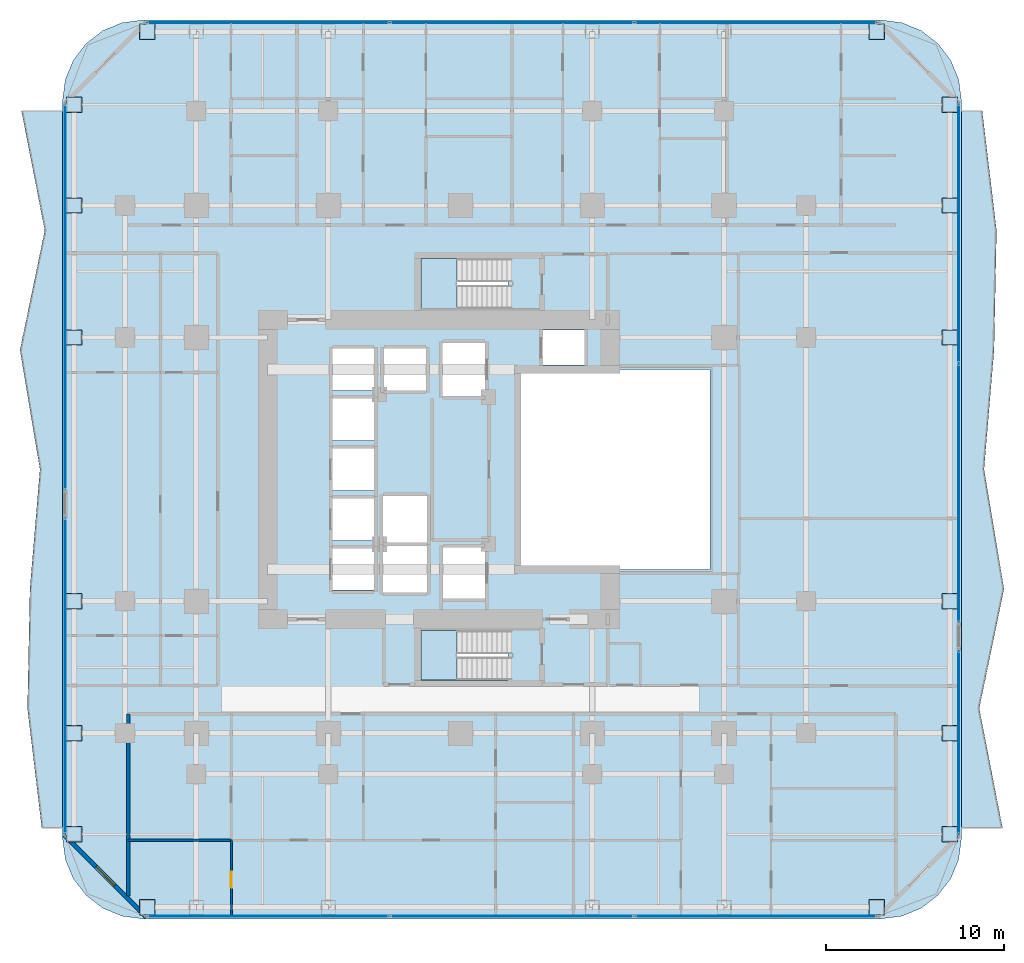
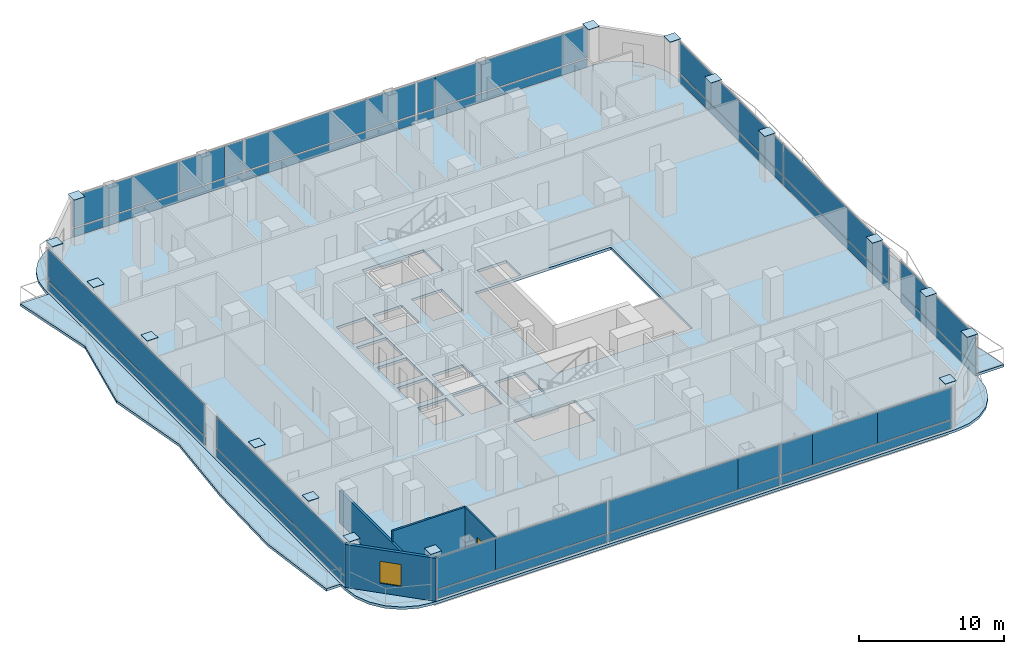
# One storey, part 19 of 27: 47 plates, 5 slabs, 4 walls, 1 door, 1 window, 2 openings, 8 elements without a shape of their own.
"""IFC4 building model written with IfcOpenShell, lengths in metres."""

import ifcopenshell
import ifcopenshell.guid

model = None  # the IFC model being written
_history = None  # IfcOwnerHistory: only IFC2X3 demands one
_inside = {}  # id of a spatial element -> (the spatial element, [elements in it])
_under = {}  # id of a project, library or spatial element -> (it, [spatial elements below it])
_declared = {}  # id of a project -> (the project, [libraries it declares])
_typed = {}  # id of a type object -> (the type object, [elements of that type])
_made_of = {}  # id of a material, layer set ... -> (it, [elements and type objects made of it])


def new_model(schema):
    """Start an empty IFC model of exactly this schema.

    Asked for "IFC4X3", IfcOpenShell would pick the latest addendum, in which some entities
    have other attributes; the version numbers below select the first issue.
    IFC2X3 requires an IfcOwnerHistory on every rooted entity: one is made here for all.
    """
    global model, _history
    if schema == "IFC4X3":
        model = ifcopenshell.file(schema_version=(4, 3, 0, 0))
    else:
        model = ifcopenshell.file(schema=schema)
    _inside.clear()
    _under.clear()
    _declared.clear()
    _typed.clear()
    _made_of.clear()
    _history = None
    if model.schema == "IFC2X3":
        org = make("IfcOrganization", Name="unknown")
        user = make(
            "IfcPersonAndOrganization",
            ThePerson=make("IfcPerson", FamilyName="unknown"),
            TheOrganization=org,
        )
        app = make(
            "IfcApplication",
            ApplicationDeveloper=org,
            Version="unknown",
            ApplicationFullName="unknown",
            ApplicationIdentifier="unknown",
        )
        _history = make(
            "IfcOwnerHistory",
            OwningUser=user,
            OwningApplication=app,
            ChangeAction="ADDED",
            CreationDate=0,
        )
    return model


def make(cls, **values):
    """One entity of the class cls with the attributes given. An attribute that is None is left unset."""
    return model.create_entity(
        cls, **{name: value for name, value in values.items() if value is not None}
    )


def rooted(cls, **values):
    """An entity with a GlobalId (a new one), such as an element, a storey or a relation."""
    return make(cls, GlobalId=ifcopenshell.guid.new(), OwnerHistory=_history, **values)


def si_unit(unit_type, name, prefix=None):
    """IfcSIUnit, for example si_unit("LENGTHUNIT", "METRE", prefix="MILLI")."""
    return make("IfcSIUnit", UnitType=unit_type, Prefix=prefix, Name=name)


def assignment(units):
    """IfcUnitAssignment: the units of a project."""
    return None if units is None else make("IfcUnitAssignment", Units=units)


def point(xyz):
    """IfcCartesianPoint."""
    return None if xyz is None else make("IfcCartesianPoint", Coordinates=xyz)


def direction(xyz):
    """IfcDirection."""
    return None if xyz is None else make("IfcDirection", DirectionRatios=xyz)


def frame(location, z_axis=None, x_axis=None):
    """IfcAxis2Placement3D, a coordinate frame: its origin and axes. An axis left out is left unset."""
    return make(
        "IfcAxis2Placement3D",
        Location=point(location),
        Axis=direction(z_axis),
        RefDirection=direction(x_axis),
    )


def frame_2d(location, x_axis=None):
    """IfcAxis2Placement2D, a coordinate frame in the plane: its origin and x axis."""
    return make(
        "IfcAxis2Placement2D", Location=point(location), RefDirection=direction(x_axis)
    )


def origin():
    """The frame at (0, 0, 0) with its axes left unset."""
    return frame((0.0, 0.0, 0.0))


def origin_2d():
    """The frame at (0, 0) in the plane with its x axis left unset."""
    return frame_2d((0.0, 0.0))


def place(relative_to, where):
    """IfcLocalPlacement: puts the frame where relative to a parent placement (None: the world)."""
    return make(
        "IfcLocalPlacement", PlacementRelTo=relative_to, RelativePlacement=where
    )


def context(
    kind, dimensions, precision=None, world=None, true_north=None, identifier=None
):
    """IfcGeometricRepresentationContext, for example the 3D "Model" context."""
    return make(
        "IfcGeometricRepresentationContext",
        ContextIdentifier=identifier,
        ContextType=kind,
        CoordinateSpaceDimension=dimensions,
        Precision=precision,
        WorldCoordinateSystem=world,
        TrueNorth=true_north,
    )


def subcontext(parent, identifier, kind, view, scale=None):
    """IfcGeometricRepresentationSubContext, for example "Body" below "Model"."""
    return make(
        "IfcGeometricRepresentationSubContext",
        ContextIdentifier=identifier,
        ContextType=kind,
        ParentContext=parent,
        TargetScale=scale,
        TargetView=view,
    )


def project(units=None, contexts=None):
    """IfcProject with its units and contexts."""
    return rooted(
        "IfcProject",
        Name="project",
        RepresentationContexts=contexts,
        UnitsInContext=assignment(units),
    )


def spatial(cls, under=None, at=None, **own):
    """A site, building, storey or space (cls), placed at a placement, below another one or the project."""
    s = rooted(cls, ObjectPlacement=at, **own)
    if under is not None:
        _under.setdefault(under.id(), (under, []))[1].append(s)
    return s


def polyline(points):
    """IfcPolyline through the points."""
    return make("IfcPolyline", Points=[point(p) for p in points])


def profile(cls, at=None, kind="AREA", **sizes):
    """A parametric profile (cls). Its sizes go by their IFC names, for example OverallWidth=200.0."""
    return make(cls, ProfileType=kind, Position=at, **sizes)


def rectangle(**sizes):
    """IfcRectangleProfileDef."""
    return profile("IfcRectangleProfileDef", **sizes)


def outline(outer, holes=None, kind="AREA"):
    """IfcArbitraryClosedProfileDef: a profile drawn as a closed curve; with holes, ...WithVoids."""
    if holes is None:
        return make("IfcArbitraryClosedProfileDef", ProfileType=kind, OuterCurve=outer)
    return make(
        "IfcArbitraryProfileDefWithVoids",
        ProfileType=kind,
        OuterCurve=outer,
        InnerCurves=holes,
    )


def extrude(swept, where, along, depth):
    """IfcExtrudedAreaSolid: the profile swept, set in the frame where, extruded along a direction by depth."""
    return make(
        "IfcExtrudedAreaSolid",
        SweptArea=swept,
        Position=where,
        ExtrudedDirection=direction(along),
        Depth=depth,
    )


def shape(context_of_items, identifier, shape_type, items):
    """IfcShapeRepresentation: the items that make up one representation, for example the "Body"."""
    return make(
        "IfcShapeRepresentation",
        ContextOfItems=context_of_items,
        RepresentationIdentifier=identifier,
        RepresentationType=shape_type,
        Items=items,
    )


def material(Name=None, Category=None):
    """IfcMaterial."""
    return make("IfcMaterial", Name=Name, Category=Category)


def layer(
    of_material, thickness, ventilated=None, Name=None, Category=None, Priority=None
):
    """IfcMaterialLayer: one layer of a wall or slab, of a material (None: an air gap)."""
    return make(
        "IfcMaterialLayer",
        Material=of_material,
        LayerThickness=thickness,
        IsVentilated=ventilated,
        Name=Name,
        Category=Category,
        Priority=Priority,
    )


def layer_set(layers, Name=None):
    """IfcMaterialLayerSet."""
    return make("IfcMaterialLayerSet", MaterialLayers=layers, LayerSetName=Name)


def made_of(thing, what):
    """Note that an element or type object is made of a material, layer set ...; save() writes the relation."""
    if what is not None:
        _made_of.setdefault(what.id(), (what, []))[1].append(thing)
    return thing


def type_object(cls, material=None, **own):
    """A type object (cls), such as IfcWallType, which elements share."""
    return made_of(rooted(cls, **own), material)


def element(
    cls,
    number,
    at=None,
    inside=None,
    cuts=None,
    type_object=None,
    material=None,
    context=None,
    identifier="Body",
    shape_type=None,
    held_by="IfcProductDefinitionShape",
    body=None,
    shapes=None,
    **own,
):
    """One element of the class cls, such as IfcWall. Its Tag is "e" and its number.

    at: its placement. inside: the storey or other place that contains it. cuts: it is an
    opening in that element (IfcRelVoidsElement). A single representation is given by context,
    identifier, shape_type and body (its items); several are given by shapes. held_by: the class
    of the entity that holds the representations. save() writes the other relations.
    """
    e = rooted(cls, Tag="e%d" % number, ObjectPlacement=at, **own)
    if body is not None:
        shapes = [shape(context, identifier, shape_type, body)]
    if shapes is not None:
        e.Representation = make(held_by, Representations=shapes)
    if inside is not None:
        _inside.setdefault(inside.id(), (inside, []))[1].append(e)
    if cuts is not None:
        rooted(
            "IfcRelVoidsElement", RelatingBuildingElement=cuts, RelatedOpeningElement=e
        )
    if type_object is not None:
        _typed.setdefault(type_object.id(), (type_object, []))[1].append(e)
    return made_of(e, material)


def fill(opening, filler):
    """IfcRelFillsElement: the door or window that sits in an opening."""
    return rooted(
        "IfcRelFillsElement",
        RelatingOpeningElement=opening,
        RelatedBuildingElement=filler,
    )


def aggregate(whole, parts):
    """IfcRelAggregates: a whole, such as a stair, and the parts it consists of."""
    return rooted("IfcRelAggregates", RelatingObject=whole, RelatedObjects=parts)


def save(model, path):
    """Write the relations noted so far, then the file.

    IfcRelAggregates (storeys below a building ...), IfcRelContainedInSpatialStructure (elements
    in a storey), IfcRelDefinesByType, IfcRelAssociatesMaterial and IfcRelDeclares: one each for
    every whole, place, type object, material and project.
    """
    for whole, parts in _under.values():
        aggregate(whole, parts)
    for where, things in _inside.values():
        rooted(
            "IfcRelContainedInSpatialStructure",
            RelatedElements=things,
            RelatingStructure=where,
        )
    for kind, things in _typed.values():
        rooted("IfcRelDefinesByType", RelatedObjects=things, RelatingType=kind)
    for what, things in _made_of.values():
        rooted("IfcRelAssociatesMaterial", RelatedObjects=things, RelatingMaterial=what)
    for by, libraries in _declared.values():
        rooted("IfcRelDeclares", RelatingContext=by, RelatedDefinitions=libraries)
    model.write(path)


model = new_model("IFC4")

# Units and contexts
model_context = context("Model", 3, precision=1e-05, world=origin(), true_north=direction((0.0, 1.0)))
body_context = subcontext(model_context, "Body", "Model", "MODEL_VIEW")
ifc_project = project(units=[si_unit("LENGTHUNIT", "METRE"), si_unit("AREAUNIT", "SQUARE_METRE"), si_unit("VOLUMEUNIT", "CUBIC_METRE"), si_unit("PLANEANGLEUNIT", "RADIAN"), si_unit("MASSUNIT", "GRAM", prefix="KILO")], contexts=[model_context])

# Site, building, storey
site_placement = place(None, origin())
site = spatial("IfcSite", under=ifc_project, at=site_placement, CompositionType="ELEMENT")
building_placement = place(site_placement, origin())
building = spatial("IfcBuilding", under=site, at=building_placement, Name="Khorvyn Point Tower", CompositionType="ELEMENT")
storey_placement = place(building_placement, frame((0.0, 0.0, 50.10009765625)))
storey = spatial("IfcBuildingStorey", under=building, at=storey_placement, Name="L13", CompositionType="ELEMENT", Elevation=50.10009765625)

# Slabs
ifc_material_1 = material(Name="Concrete C35/45", Category="concrete")
ifc_layer_1 = layer(ifc_material_1, 0.219970703125)
ifc_layer_set_1 = layer_set([ifc_layer_1], Name="Concrete C35/45 Structural Floor Slab 220")
slab_type_1 = type_object("IfcSlabType", Name="Concrete C35/45 Structural Floor Slab 220", PredefinedType="FLOOR", material=ifc_layer_set_1)
slab_1_placement = place(storey_placement, frame((0.0, 0.0, -0.22021484375)))
element("IfcSlab", 1, at=slab_1_placement, inside=storey, type_object=slab_type_1, Name="L13 Main Structural Floor Slab", PredefinedType="FLOOR", context=body_context, shape_type="SweptSolid", body=[
    extrude(outline(polyline([(-17.800048828125, -25.199951171875), (-18.964599609375, -25.046630859375), (-20.050048828125, -24.59716796875), (-20.98193359375, -23.882080078125), (-21.697021484375, -22.949951171875), (-22.146728515625, -21.86474609375), (-22.300048828125, -20.699951171875), (-22.300048828125, 20.699951171875), (-22.146728515625, 21.86474609375), (-21.697021484375, 22.949951171875), (-20.98193359375, 23.882080078125), (-20.050048828125, 24.59716796875), (-18.964599609375, 25.046630859375), (-17.800048828125, 25.199951171875), (23.60009765625, 25.199951171875), (24.7646484375, 25.046630859375), (25.85009765625, 24.59716796875), (26.781982421875, 23.882080078125), (27.4970703125, 22.949951171875), (27.94677734375, 21.86474609375), (28.10009765625, 20.699951171875), (28.10009765625, -20.699951171875), (27.94677734375, -21.86474609375), (27.4970703125, -22.949951171875), (26.781982421875, -23.882080078125), (25.85009765625, -24.59716796875), (24.7646484375, -25.046630859375), (23.60009765625, -25.199951171875), (-17.800048828125, -25.199951171875)]), holes=[polyline([(-4.824951171875, -6.77490234375), (-4.824951171875, -4.425048828125), (-7.175048828125, -4.425048828125), (-7.175048828125, -6.77490234375), (-4.824951171875, -6.77490234375)]), polyline([(-4.324951171875, -6.89990234375), (-1.875, -6.89990234375), (-1.875, -4.300048828125), (-4.324951171875, -4.300048828125), (-4.324951171875, -6.89990234375)]), polyline([(-7.175048828125, -3.97509765625), (-4.824951171875, -3.97509765625), (-4.824951171875, -1.625), (-7.175048828125, -1.625), (-7.175048828125, -3.97509765625)]), polyline([(-7.175048828125, -1.175048828125), (-4.824951171875, -1.175048828125), (-4.824951171875, 1.175048828125), (-7.175048828125, 1.175048828125), (-7.175048828125, -1.175048828125)]), polyline([(-7.175048828125, 1.625), (-4.824951171875, 1.625), (-4.824951171875, 3.97509765625), (-7.175048828125, 3.97509765625), (-7.175048828125, 1.625)]), polyline([(-7.175048828125, 4.425048828125), (-4.824951171875, 4.425048828125), (-4.824951171875, 6.77490234375), (-7.175048828125, 6.77490234375), (-7.175048828125, 4.425048828125)]), polyline([(-4.27490234375, 4.425048828125), (-1.925048828125, 4.425048828125), (-1.925048828125, 6.77490234375), (-4.27490234375, 6.77490234375), (-4.27490234375, 4.425048828125)]), polyline([(2.679931640625, -11.820068359375), (2.679931640625, -9.02001953125), (-2.199951171875, -9.02001953125), (-2.199951171875, -11.820068359375), (2.679931640625, -11.820068359375)]), polyline([(-0.97509765625, -7.22509765625), (1.375, -7.22509765625), (1.375, -4.375), (-0.97509765625, -4.375), (-0.97509765625, -7.22509765625)]), polyline([(-4.324951171875, -4.10009765625), (-1.875, -4.10009765625), (-1.875, -1.5), (-4.324951171875, -1.5), (-4.324951171875, -4.10009765625)]), polyline([(3.199951171875, -5.60009765625), (14.0, -5.60009765625), (14.0, 5.60009765625), (3.199951171875, 5.60009765625), (3.199951171875, -5.60009765625)]), polyline([(-1.0, 4.125), (1.39990234375, 4.125), (1.39990234375, 7.074951171875), (-1.0, 7.074951171875), (-1.0, 4.125)]), polyline([(4.625, 5.85009765625), (6.97509765625, 5.85009765625), (6.97509765625, 7.830078125), (4.625, 7.830078125), (4.625, 5.85009765625)]), polyline([(-2.199951171875, 9.02001953125), (2.679931640625, 9.02001953125), (2.679931640625, 11.820068359375), (-2.199951171875, 11.820068359375), (-2.199951171875, 9.02001953125)])]), origin(), (0.0, 0.0, 1.0), 0.22021484375),
])
ifc_material_2 = material(Name="Concrete C40/50", Category="concrete")
ifc_layer_2 = layer(ifc_material_2, 0.2099609375)
ifc_layer_set_2 = layer_set([ifc_layer_2], Name="Concrete C40/50 Rippling Balcony Slab 210")
slab_type_2 = type_object("IfcSlabType", Name="Concrete C40/50 Rippling Balcony Slab 210", PredefinedType="USERDEFINED", material=ifc_layer_set_2)
slab_2_placement = place(storey_placement, frame((0.0, 0.0, -0.210205078125)))
element("IfcSlab", 2, at=slab_2_placement, inside=storey, type_object=slab_type_2, Name="L13 East Sinusoidal Rippling Balcony", ObjectType="BALCONY", PredefinedType="USERDEFINED", context=body_context, shape_type="SweptSolid", body=[
    extrude(outline(polyline([(28.10009765625, -20.10009765625), (30.404052734375, -20.10009765625), (29.097412109375, -13.39990234375), (30.4873046875, -6.699951171875), (29.36865234375, 0.0), (29.930908203125, 6.699951171875), (30.068359375, 13.39990234375), (29.26611328125, 20.10009765625), (28.10009765625, 20.10009765625), (28.10009765625, -20.10009765625)])), origin(), (0.0, 0.0, 1.0), 0.210205078125),
])
slab_3_placement = place(storey_placement, frame((0.0, 0.0, -0.210205078125)))
element("IfcSlab", 3, at=slab_3_placement, inside=storey, type_object=slab_type_2, Name="L13 West Sinusoidal Rippling Balcony", ObjectType="BALCONY", PredefinedType="USERDEFINED", context=body_context, shape_type="SweptSolid", body=[
    extrude(outline(polyline([(-22.300048828125, 20.10009765625), (-24.60400390625, 20.10009765625), (-23.297607421875, 13.39990234375), (-24.687255859375, 6.699951171875), (-23.568603515625, 0.0), (-24.130859375, -6.699951171875), (-24.268310546875, -13.39990234375), (-23.46630859375, -20.10009765625), (-22.300048828125, -20.10009765625), (-22.300048828125, 20.10009765625)])), origin(), (0.0, 0.0, 1.0), 0.210205078125),
])

# Stair, slab
stair_type = type_object("IfcStairType", Name="Tower Concrete C40/50 Dogleg Exit Stair", PredefinedType="HALF_TURN_STAIR", material=ifc_material_2)
stair_1_placement = place(storey_placement, origin())
stair_1 = element("IfcStair", 4, at=stair_1_placement, inside=storey, type_object=stair_type, Name="L13 Tower Smokeproof Exit Stair South", PredefinedType="HALF_TURN_STAIR")
ifc_layer_3 = layer(ifc_material_2, 0.199951171875)
ifc_layer_set_3 = layer_set([ifc_layer_3], Name="Concrete C40/50 Stair Landing Slab 200")
slab_type_3 = type_object("IfcSlabType", Name="Concrete C40/50 Stair Landing Slab 200", PredefinedType="LANDING", material=ifc_layer_set_3)
slab_4_placement = place(storey_placement, frame((0.0, 0.0, 1.75)))
slab_4 = element("IfcSlab", 5, at=slab_4_placement, type_object=slab_type_3, Name="ST-01 landing 1", PredefinedType="LANDING", context=body_context, shape_type="SweptSolid", body=[
    extrude(outline(polyline([(-0.179931640625, -9.02001953125), (-2.199951171875, -9.02001953125), (-2.199951171875, -11.820068359375), (-0.179931640625, -11.820068359375), (-0.179931640625, -9.02001953125)])), origin(), (0.0, 0.0, 1.0), 0.199951171875),
])
aggregate(stair_1, [slab_4])

stair_2_placement = place(storey_placement, origin())
stair_2 = element("IfcStair", 6, at=stair_2_placement, inside=storey, type_object=stair_type, Name="L13 Tower Smokeproof Exit Stair North", PredefinedType="HALF_TURN_STAIR")
slab_5_placement = place(storey_placement, frame((0.0, 0.0, 1.75)))
slab_5 = element("IfcSlab", 7, at=slab_5_placement, type_object=slab_type_3, Name="ST-02 landing 1", PredefinedType="LANDING", context=body_context, shape_type="SweptSolid", body=[
    extrude(outline(polyline([(-0.179931640625, 11.820068359375), (-2.199951171875, 11.820068359375), (-2.199951171875, 9.02001953125), (-0.179931640625, 9.02001953125), (-0.179931640625, 11.820068359375)])), origin(), (0.0, 0.0, 1.0), 0.199951171875),
])
aggregate(stair_2, [slab_5])

# Curtain wall, plates
ifc_material_3 = material(Name="Anodised aluminium 6063-T6 and laminated Low-E glass", Category="aluminium")
ifc_layer_4 = layer(ifc_material_3, 0.18994140625)
ifc_layer_set_4 = layer_set([ifc_layer_4], Name="Stick-Built Finned Residential Curtain Wall CW-SYS-02")
curtain_wall_type = type_object("IfcCurtainWallType", Name="Stick-Built Finned Residential Curtain Wall CW-SYS-02", PredefinedType="NOTDEFINED", material=ifc_layer_set_4)
curtain_wall_1_placement = place(storey_placement, origin())
curtain_wall_1 = element("IfcCurtainWall", 8, at=curtain_wall_1_placement, inside=storey, type_object=curtain_wall_type, Name="Curtain Wall", PredefinedType="NOTDEFINED")
ifc_material_4 = material(Name="Pale anodised aluminium 5005", Category="aluminium")
ifc_layer_5 = layer(ifc_material_4, 0.0400390625)
ifc_layer_set_5 = layer_set([ifc_layer_5], Name="Pale Champagne Aluminium Insulated Spandrel Panel CW-SP40")
plate_type_1 = type_object("IfcPlateType", Name="Pale Champagne Aluminium Insulated Spandrel Panel CW-SP40", PredefinedType="SHEET", material=ifc_layer_set_5)
plate_1_placement = place(storey_placement, frame((16.574951171875, -25.050048828125, 0.10009765625), z_axis=(0.0, 0.0, 1.0), x_axis=(-1.0, 0.0, 0.0)))
plate_1 = element("IfcPlate", 9, at=plate_1_placement, type_object=plate_type_1, Name="Panel", PredefinedType="SHEET", context=body_context, shape_type="SweptSolid", body=[
    extrude(rectangle(XDim=13.550048828125, YDim=0.0400390625, at=origin_2d()), origin(), (0.0, 0.0, 1.0), 0.699951171875),
])
plate_2_placement = place(storey_placement, frame((2.89990234375, -25.050048828125, 0.10009765625), z_axis=(0.0, 0.0, 1.0), x_axis=(-1.0, 0.0, 0.0)))
plate_2 = element("IfcPlate", 10, at=plate_2_placement, type_object=plate_type_1, Name="Panel", PredefinedType="SHEET", context=body_context, shape_type="SweptSolid", body=[
    extrude(rectangle(XDim=13.60009765625, YDim=0.0400390625, at=origin_2d()), origin(), (0.0, 0.0, 1.0), 0.699951171875),
])
plate_3_placement = place(storey_placement, frame((-10.77490234375, -25.050048828125, 0.10009765625), z_axis=(0.0, 0.0, 1.0), x_axis=(-1.0, 0.0, 0.0)))
plate_3 = element("IfcPlate", 11, at=plate_3_placement, type_object=plate_type_1, Name="Panel", PredefinedType="SHEET", context=body_context, shape_type="SweptSolid", body=[
    extrude(rectangle(XDim=13.550048828125, YDim=0.0400390625, at=origin_2d()), origin(), (0.0, 0.0, 1.0), 0.699951171875),
])

curtain_wall_2_placement = place(storey_placement, origin())
curtain_wall_2 = element("IfcCurtainWall", 12, at=curtain_wall_2_placement, inside=storey, type_object=curtain_wall_type, Name="Curtain Wall", PredefinedType="NOTDEFINED")
plate_4_placement = place(storey_placement, frame((-10.77490234375, 25.050048828125, 0.10009765625), z_axis=(0.0, 0.0, 1.0), x_axis=(1.0, 0.0, 0.0)))
plate_4 = element("IfcPlate", 13, at=plate_4_placement, type_object=plate_type_1, Name="Panel", PredefinedType="SHEET", context=body_context, shape_type="SweptSolid", body=[
    extrude(rectangle(XDim=13.550048828125, YDim=0.0400390625, at=origin_2d()), origin(), (0.0, 0.0, 1.0), 0.699951171875),
])
plate_5_placement = place(storey_placement, frame((2.89990234375, 25.050048828125, 0.10009765625), z_axis=(0.0, 0.0, 1.0), x_axis=(1.0, 0.0, 0.0)))
plate_5 = element("IfcPlate", 14, at=plate_5_placement, type_object=plate_type_1, Name="Panel", PredefinedType="SHEET", context=body_context, shape_type="SweptSolid", body=[
    extrude(rectangle(XDim=13.60009765625, YDim=0.0400390625, at=origin_2d()), origin(), (0.0, 0.0, 1.0), 0.699951171875),
])
plate_6_placement = place(storey_placement, frame((16.574951171875, 25.050048828125, 0.10009765625), z_axis=(0.0, 0.0, 1.0), x_axis=(1.0, 0.0, 0.0)))
plate_6 = element("IfcPlate", 15, at=plate_6_placement, type_object=plate_type_1, Name="Panel", PredefinedType="SHEET", context=body_context, shape_type="SweptSolid", body=[
    extrude(rectangle(XDim=13.550048828125, YDim=0.0400390625, at=origin_2d()), origin(), (0.0, 0.0, 1.0), 0.699951171875),
])

# Curtain wall, plate
curtain_wall_3_placement = place(storey_placement, origin())
curtain_wall_3 = element("IfcCurtainWall", 16, at=curtain_wall_3_placement, inside=storey, type_object=curtain_wall_type, Name="Curtain Wall", PredefinedType="NOTDEFINED")
plate_7_placement = place(storey_placement, frame((-22.14990234375, -11.60595703125, 0.10009765625), z_axis=(0.0, 0.0, 1.0), x_axis=(0.0, 1.0, 0.0)))
plate_7 = element("IfcPlate", 17, at=plate_7_placement, type_object=plate_type_1, Name="Panel", PredefinedType="SHEET", context=body_context, shape_type="SweptSolid", body=[
    extrude(rectangle(XDim=17.68798828125, YDim=0.0400390625, at=origin_2d()), origin(), (0.0, 0.0, 1.0), 0.699951171875),
])

curtain_wall_4_placement = place(storey_placement, origin())
curtain_wall_4 = element("IfcCurtainWall", 18, at=curtain_wall_4_placement, inside=storey, type_object=curtain_wall_type, Name="Curtain Wall", PredefinedType="NOTDEFINED")
plate_8_placement = place(storey_placement, frame((-22.14990234375, 9.6640625, 0.10009765625), z_axis=(0.0, 0.0, 1.0), x_axis=(0.0, 1.0, 0.0)))
plate_8 = element("IfcPlate", 19, at=plate_8_placement, type_object=plate_type_1, Name="Panel", PredefinedType="SHEET", context=body_context, shape_type="SweptSolid", body=[
    extrude(rectangle(XDim=21.572021484375, YDim=0.0400390625, at=origin_2d()), origin(), (0.0, 0.0, 1.0), 0.699951171875),
])

# Curtain wall, plates
curtain_wall_5_placement = place(storey_placement, origin())
curtain_wall_5 = element("IfcCurtainWall", 20, at=curtain_wall_5_placement, inside=storey, type_object=curtain_wall_type, Name="Curtain Wall", PredefinedType="NOTDEFINED")
plate_9_placement = place(storey_placement, frame((27.949951171875, 13.225830078125, 0.10009765625), z_axis=(0.0, 0.0, 1.0), x_axis=(0.0, -1.0, 0.0)))
plate_9 = element("IfcPlate", 21, at=plate_9_placement, type_object=plate_type_1, Name="Panel", PredefinedType="SHEET", context=body_context, shape_type="SweptSolid", body=[
    extrude(rectangle(XDim=14.448486328125, YDim=0.0400390625, at=origin_2d()), origin(), (0.0, 0.0, 1.0), 0.699951171875),
])
plate_10_placement = place(storey_placement, frame((27.949951171875, -1.32275390625, 0.10009765625), z_axis=(0.0, 0.0, 1.0), x_axis=(0.0, -1.0, 0.0)))
plate_10 = element("IfcPlate", 22, at=plate_10_placement, type_object=plate_type_1, Name="Panel", PredefinedType="SHEET", context=body_context, shape_type="SweptSolid", body=[
    extrude(rectangle(XDim=14.448486328125, YDim=0.0400390625, at=origin_2d()), origin(), (0.0, 0.0, 1.0), 0.699951171875),
])

# Curtain wall, plate
curtain_wall_6_placement = place(storey_placement, origin())
curtain_wall_6 = element("IfcCurtainWall", 23, at=curtain_wall_6_placement, inside=storey, type_object=curtain_wall_type, Name="Curtain Wall", PredefinedType="NOTDEFINED")
plate_11_placement = place(storey_placement, frame((27.949951171875, -15.318603515625, 0.10009765625), z_axis=(0.0, 0.0, 1.0), x_axis=(0.0, -1.0, 0.0)))
plate_11 = element("IfcPlate", 24, at=plate_11_placement, type_object=plate_type_1, Name="Panel", PredefinedType="SHEET", context=body_context, shape_type="SweptSolid", body=[
    extrude(rectangle(XDim=10.262939453125, YDim=0.0400390625, at=origin_2d()), origin(), (0.0, 0.0, 1.0), 0.699951171875),
])

# Plates
ifc_material_5 = material(Name="Steel S450", Category="steel")
ifc_layer_6 = layer(ifc_material_5, 0.031982421875)
ifc_layer_set_6 = layer_set([ifc_layer_6], Name="Steel S450 Exoskeleton End Cap Plate 32")
plate_type_2 = type_object("IfcPlateType", Name="Steel S450 Exoskeleton End Cap Plate 32", PredefinedType="USERDEFINED", material=ifc_layer_set_6)
for number, where, z_axis, x_axis, name in (
    (25, (-17.550048828125, -24.550048828125, 3.89404296875), (0.0, 0.0, 1.0), (1.0, 0.0, 0.0), "Plate"),
    (26, (23.35009765625, -24.550048828125, 3.89404296875), (0.0, 0.0, 1.0), (1.0, 0.0, 0.0), "Plate"),
    (27, (-17.550048828125, 24.550048828125, 3.89404296875), (0.0, 0.0, 1.0), (1.0, 0.0, 0.0), "Plate"),
    (28, (23.35009765625, 24.550048828125, 3.89404296875), (0.0, 0.0, 1.0), (1.0, 0.0, 0.0), "Plate"),
    (29, (-21.64990234375, -20.449951171875, 3.89404296875), (0.0, 0.0, 1.0), (1.0, 0.0, 0.0), "Plate"),
    (30, (-21.64990234375, 20.449951171875, 3.89404296875), (0.0, 0.0, 1.0), (1.0, 0.0, 0.0), "Plate"),
    (31, (27.449951171875, -20.449951171875, 3.89404296875), (0.0, 0.0, 1.0), (1.0, 0.0, 0.0), "Plate"),
    (32, (27.449951171875, 20.449951171875, 3.89404296875), (0.0, 0.0, 1.0), (1.0, 0.0, 0.0), "Plate"),
    (33, (-21.64990234375, -14.800048828125, 3.89404296875), (0.0, 0.0, 1.0), (1.0, 0.0, 0.0), "Plate"),
    (34, (27.449951171875, -14.800048828125, 3.89404296875), (0.0, 0.0, 1.0), (1.0, 0.0, 0.0), "Plate"),
    (35, (-21.64990234375, -7.39990234375, 3.89404296875), (0.0, 0.0, 1.0), (1.0, 0.0, 0.0), "Plate"),
    (36, (27.449951171875, -7.39990234375, 3.89404296875), (0.0, 0.0, 1.0), (1.0, 0.0, 0.0), "Plate"),
    (37, (-21.64990234375, 7.39990234375, 3.89404296875), (0.0, 0.0, 1.0), (1.0, 0.0, 0.0), "Plate"),
    (38, (27.449951171875, 7.39990234375, 3.89404296875), (0.0, 0.0, 1.0), (1.0, 0.0, 0.0), "Plate"),
    (39, (-21.64990234375, 14.800048828125, 3.89404296875), (0.0, 0.0, 1.0), (1.0, 0.0, 0.0), "Plate"),
    (40, (27.449951171875, 14.800048828125, 3.89404296875), (0.0, 0.0, 1.0), (1.0, 0.0, 0.0), "Plate"),
):
    element("IfcPlate", number, at=place(storey_placement, frame(where, z_axis=z_axis, x_axis=x_axis)), inside=storey, type_object=plate_type_2, Name=name, ObjectType="GUSSET", PredefinedType="USERDEFINED", context=body_context, shape_type="SweptSolid", body=[
        extrude(rectangle(XDim=0.860107421875, YDim=0.860107421875, at=origin_2d()), origin(), (0.0, 0.0, 1.0), 0.031982421875),
    ])

# Plate
ifc_material_6 = material(Name="Laminated Low-E insulated glass", Category="glass")
ifc_layer_7 = layer(ifc_material_6, 0.028076171875)
ifc_layer_set_7 = layer_set([ifc_layer_7], Name="Tempered Low-E Vision Glazing Panel CW-GL28")
plate_type_3 = type_object("IfcPlateType", Name="Tempered Low-E Vision Glazing Panel CW-GL28", PredefinedType="CURTAIN_PANEL", material=ifc_layer_set_7)
plate_12_placement = place(storey_placement, frame((11.0576171875, -25.050048828125, 0.89990234375), z_axis=(0.0, 0.0, 1.0), x_axis=(-1.0, 0.0, 0.0)))
plate_12 = element("IfcPlate", 41, at=plate_12_placement, type_object=plate_type_3, Name="Panel", PredefinedType="CURTAIN_PANEL", context=body_context, shape_type="SweptSolid", body=[
    extrude(rectangle(XDim=2.507080078125, YDim=0.028076171875, at=origin_2d()), origin(), (0.0, 0.0, 1.0), 2.6201171875),
])

plate_13_placement = place(storey_placement, frame((14.901611328125, -25.050048828125, 0.89990234375), z_axis=(0.0, 0.0, 1.0), x_axis=(-1.0, 0.0, 0.0)))
plate_13 = element("IfcPlate", 42, at=plate_13_placement, type_object=plate_type_3, Name="Panel", PredefinedType="CURTAIN_PANEL", context=body_context, shape_type="SweptSolid", body=[
    extrude(rectangle(XDim=5.1650390625, YDim=0.028076171875, at=origin_2d()), origin(), (0.0, 0.0, 1.0), 2.6201171875),
])

plate_14_placement = place(storey_placement, frame((20.4189453125, -25.050048828125, 0.89990234375), z_axis=(0.0, 0.0, 1.0), x_axis=(-1.0, 0.0, 0.0)))
plate_14 = element("IfcPlate", 43, at=plate_14_placement, type_object=plate_type_3, Name="Panel", PredefinedType="CURTAIN_PANEL", context=body_context, shape_type="SweptSolid", body=[
    extrude(rectangle(XDim=5.85400390625, YDim=0.028076171875, at=origin_2d()), origin(), (0.0, 0.0, 1.0), 2.6201171875),
])

plate_15_placement = place(storey_placement, frame((1.25146484375, -25.050048828125, 0.89990234375), z_axis=(0.0, 0.0, 1.0), x_axis=(-1.0, 0.0, 0.0)))
plate_15 = element("IfcPlate", 44, at=plate_15_placement, type_object=plate_type_3, Name="Panel", PredefinedType="CURTAIN_PANEL", context=body_context, shape_type="SweptSolid", body=[
    extrude(rectangle(XDim=10.294921875, YDim=0.028076171875, at=origin_2d()), origin(), (0.0, 0.0, 1.0), 2.6201171875),
])

plate_16_placement = place(storey_placement, frame((8.051513671875, -25.050048828125, 0.89990234375), z_axis=(0.0, 0.0, 1.0), x_axis=(-1.0, 0.0, 0.0)))
plate_16 = element("IfcPlate", 45, at=plate_16_placement, type_object=plate_type_3, Name="Panel", PredefinedType="CURTAIN_PANEL", context=body_context, shape_type="SweptSolid", body=[
    extrude(rectangle(XDim=3.2890625, YDim=0.028076171875, at=origin_2d()), origin(), (0.0, 0.0, 1.0), 2.6201171875),
])

plate_17_placement = place(storey_placement, frame((-15.223388671875, -25.050048828125, 0.89990234375), z_axis=(0.0, 0.0, 1.0), x_axis=(-1.0, 0.0, 0.0)))
plate_17 = element("IfcPlate", 46, at=plate_17_placement, type_object=plate_type_3, Name="Panel", PredefinedType="CURTAIN_PANEL", context=body_context, shape_type="SweptSolid", body=[
    extrude(rectangle(XDim=4.64501953125, YDim=0.028076171875, at=origin_2d()), origin(), (0.0, 0.0, 1.0), 2.6201171875),
])

plate_18_placement = place(storey_placement, frame((-8.448486328125, -25.050048828125, 0.89990234375), z_axis=(0.0, 0.0, 1.0), x_axis=(-1.0, 0.0, 0.0)))
plate_18 = element("IfcPlate", 47, at=plate_18_placement, type_object=plate_type_3, Name="Panel", PredefinedType="CURTAIN_PANEL", context=body_context, shape_type="SweptSolid", body=[
    extrude(rectangle(XDim=8.888916015625, YDim=0.028076171875, at=origin_2d()), origin(), (0.0, 0.0, 1.0), 2.6201171875),
])

aggregate(curtain_wall_1, [plate_1, plate_12, plate_13, plate_14, plate_2, plate_15, plate_16, plate_3, plate_17, plate_18])

plate_19_placement = place(storey_placement, frame((-13.320556640625, 25.050048828125, 0.89990234375), z_axis=(0.0, 0.0, 1.0), x_axis=(1.0, 0.0, 0.0)))
plate_19 = element("IfcPlate", 48, at=plate_19_placement, type_object=plate_type_3, Name="Panel", PredefinedType="CURTAIN_PANEL", context=body_context, shape_type="SweptSolid", body=[
    extrude(rectangle(XDim=8.450927734375, YDim=0.028076171875, at=origin_2d()), origin(), (0.0, 0.0, 1.0), 2.6201171875),
])

plate_20_placement = place(storey_placement, frame((-7.29248046875, 25.050048828125, 0.89990234375), z_axis=(0.0, 0.0, 1.0), x_axis=(1.0, 0.0, 0.0)))
plate_20 = element("IfcPlate", 49, at=plate_20_placement, type_object=plate_type_3, Name="Panel", PredefinedType="CURTAIN_PANEL", context=body_context, shape_type="SweptSolid", body=[
    extrude(rectangle(XDim=3.589111328125, YDim=0.028076171875, at=origin_2d()), origin(), (0.0, 0.0, 1.0), 2.6201171875),
])

plate_21_placement = place(storey_placement, frame((-4.7470703125, 25.050048828125, 0.89990234375), z_axis=(0.0, 0.0, 1.0), x_axis=(1.0, 0.0, 0.0)))
plate_21 = element("IfcPlate", 50, at=plate_21_placement, type_object=plate_type_3, Name="Panel", PredefinedType="CURTAIN_PANEL", context=body_context, shape_type="SweptSolid", body=[
    extrude(rectangle(XDim=1.486083984375, YDim=0.028076171875, at=origin_2d()), origin(), (0.0, 0.0, 1.0), 2.6201171875),
])

plate_22_placement = place(storey_placement, frame((2.89990234375, 25.050048828125, 0.89990234375), z_axis=(0.0, 0.0, 1.0), x_axis=(1.0, 0.0, 0.0)))
plate_22 = element("IfcPlate", 51, at=plate_22_placement, type_object=plate_type_3, Name="Panel", PredefinedType="CURTAIN_PANEL", context=body_context, shape_type="SweptSolid", body=[
    extrude(rectangle(XDim=13.60009765625, YDim=0.028076171875, at=origin_2d()), origin(), (0.0, 0.0, 1.0), 2.6201171875),
])

plate_23_placement = place(storey_placement, frame((10.525390625, 25.050048828125, 0.89990234375), z_axis=(0.0, 0.0, 1.0), x_axis=(1.0, 0.0, 0.0)))
plate_23 = element("IfcPlate", 52, at=plate_23_placement, type_object=plate_type_3, Name="Panel", PredefinedType="CURTAIN_PANEL", context=body_context, shape_type="SweptSolid", body=[
    extrude(rectangle(XDim=1.443115234375, YDim=0.028076171875, at=origin_2d()), origin(), (0.0, 0.0, 1.0), 2.6201171875),
])

plate_24_placement = place(storey_placement, frame((13.071044921875, 25.050048828125, 0.89990234375), z_axis=(0.0, 0.0, 1.0), x_axis=(1.0, 0.0, 0.0)))
plate_24 = element("IfcPlate", 53, at=plate_24_placement, type_object=plate_type_3, Name="Panel", PredefinedType="CURTAIN_PANEL", context=body_context, shape_type="SweptSolid", body=[
    extrude(rectangle(XDim=3.632080078125, YDim=0.028076171875, at=origin_2d()), origin(), (0.0, 0.0, 1.0), 2.6201171875),
])

plate_25_placement = place(storey_placement, frame((18.151611328125, 25.050048828125, 0.89990234375), z_axis=(0.0, 0.0, 1.0), x_axis=(1.0, 0.0, 0.0)))
plate_25 = element("IfcPlate", 54, at=plate_25_placement, type_object=plate_type_3, Name="Panel", PredefinedType="CURTAIN_PANEL", context=body_context, shape_type="SweptSolid", body=[
    extrude(rectangle(XDim=6.512939453125, YDim=0.028076171875, at=origin_2d()), origin(), (0.0, 0.0, 1.0), 2.6201171875),
])

plate_26_placement = place(storey_placement, frame((22.381103515625, 25.050048828125, 0.89990234375), z_axis=(0.0, 0.0, 1.0), x_axis=(1.0, 0.0, 0.0)))
plate_26 = element("IfcPlate", 55, at=plate_26_placement, type_object=plate_type_3, Name="Panel", PredefinedType="CURTAIN_PANEL", context=body_context, shape_type="SweptSolid", body=[
    extrude(rectangle(XDim=1.929931640625, YDim=0.028076171875, at=origin_2d()), origin(), (0.0, 0.0, 1.0), 2.6201171875),
])

aggregate(curtain_wall_2, [plate_4, plate_19, plate_20, plate_21, plate_5, plate_22, plate_6, plate_23, plate_24, plate_25, plate_26])

plate_27_placement = place(storey_placement, frame((-22.14990234375, -11.60595703125, 0.89990234375), z_axis=(0.0, 0.0, 1.0), x_axis=(0.0, 1.0, 0.0)))
plate_27 = element("IfcPlate", 56, at=plate_27_placement, type_object=plate_type_3, Name="Panel", PredefinedType="CURTAIN_PANEL", context=body_context, shape_type="SweptSolid", body=[
    extrude(rectangle(XDim=17.68798828125, YDim=0.028076171875, at=origin_2d()), origin(), (0.0, 0.0, 1.0), 2.6201171875),
])

aggregate(curtain_wall_3, [plate_7, plate_27])

plate_28_placement = place(storey_placement, frame((-22.14990234375, 9.6640625, 0.89990234375), z_axis=(0.0, 0.0, 1.0), x_axis=(0.0, 1.0, 0.0)))
plate_28 = element("IfcPlate", 57, at=plate_28_placement, type_object=plate_type_3, Name="Panel", PredefinedType="CURTAIN_PANEL", context=body_context, shape_type="SweptSolid", body=[
    extrude(rectangle(XDim=21.572021484375, YDim=0.028076171875, at=origin_2d()), origin(), (0.0, 0.0, 1.0), 2.6201171875),
])

aggregate(curtain_wall_4, [plate_8, plate_28])

plate_29_placement = place(storey_placement, frame((27.949951171875, 13.225830078125, 0.89990234375), z_axis=(0.0, 0.0, 1.0), x_axis=(0.0, -1.0, 0.0)))
plate_29 = element("IfcPlate", 58, at=plate_29_placement, type_object=plate_type_3, Name="Panel", PredefinedType="CURTAIN_PANEL", context=body_context, shape_type="SweptSolid", body=[
    extrude(rectangle(XDim=14.448486328125, YDim=0.028076171875, at=origin_2d()), origin(), (0.0, 0.0, 1.0), 2.6201171875),
])

plate_30_placement = place(storey_placement, frame((27.949951171875, -1.32275390625, 0.89990234375), z_axis=(0.0, 0.0, 1.0), x_axis=(0.0, -1.0, 0.0)))
plate_30 = element("IfcPlate", 59, at=plate_30_placement, type_object=plate_type_3, Name="Panel", PredefinedType="CURTAIN_PANEL", context=body_context, shape_type="SweptSolid", body=[
    extrude(rectangle(XDim=14.448486328125, YDim=0.028076171875, at=origin_2d()), origin(), (0.0, 0.0, 1.0), 2.6201171875),
])

aggregate(curtain_wall_5, [plate_9, plate_29, plate_10, plate_30])

plate_31_placement = place(storey_placement, frame((27.949951171875, -15.318603515625, 0.89990234375), z_axis=(0.0, 0.0, 1.0), x_axis=(0.0, -1.0, 0.0)))
plate_31 = element("IfcPlate", 60, at=plate_31_placement, type_object=plate_type_3, Name="Panel", PredefinedType="CURTAIN_PANEL", context=body_context, shape_type="SweptSolid", body=[
    extrude(rectangle(XDim=10.262939453125, YDim=0.028076171875, at=origin_2d()), origin(), (0.0, 0.0, 1.0), 2.6201171875),
])

aggregate(curtain_wall_6, [plate_11, plate_31])

# Wall
ifc_material_7 = material(Name="Double acoustic gypsum on twin steel stud", Category="steel")
ifc_layer_8 = layer(ifc_material_7, 0.179931640625)
ifc_layer_set_8 = layer_set([ifc_layer_8], Name="Acoustic Double-Stud Apartment Demising Wall 180")
wall_type_1 = type_object("IfcWallType", Name="Acoustic Double-Stud Apartment Demising Wall 180", PredefinedType="PARTITIONING", material=ifc_layer_set_8)
wall_1_placement = place(storey_placement, frame((-18.6201171875, -23.909912109375, 0.0), z_axis=(0.0, 0.0, 1.0), x_axis=(0.0, 1.0, 0.0)))
element("IfcWall", 61, at=wall_1_placement, inside=storey, type_object=wall_type_1, Name="Wall", PredefinedType="PARTITIONING", context=body_context, shape_type="SweptSolid", body=[
    extrude(rectangle(XDim=10.2099609375, YDim=0.179931640625, at=frame_2d((5.10498046875, 0.0))), origin(), (0.0, 0.0, 1.0), 2.7099609375),
])

# Wall, opening, window
ifc_material_8 = material(Name="Pale anodised aluminium rainscreen on steel stud", Category="steel")
ifc_layer_9 = layer(ifc_material_8, 0.239990234375)
ifc_layer_set_9 = layer_set([ifc_layer_9], Name="Anodised Aluminium Insulated Corner Spandrel Wall 240")
wall_type_2 = type_object("IfcWallType", Name="Anodised Aluminium Insulated Corner Spandrel Wall 240", PredefinedType="SOLIDWALL", material=ifc_layer_set_9)
wall_2_placement = place(storey_placement, frame((-17.607666015625, -25.09228515625, 0.0), z_axis=(0.0, 0.0, 1.0), x_axis=(-0.707106781187, 0.707106781187, 0.0)))
wall_2 = element("IfcWall", 62, at=wall_2_placement, inside=storey, type_object=wall_type_2, Name="L13 Rounded Corner Wall SW", PredefinedType="SOLIDWALL", context=body_context, shape_type="SweptSolid", body=[
    extrude(rectangle(XDim=6.48388671875, YDim=0.239990234375, at=frame_2d((3.241943359375, 0.0))), origin(), (0.0, 0.0, 1.0), 3.619873046875),
])
opening_1_placement = place(wall_2_placement, frame((2.491943359375, 0.0, 0.800048828125)))
opening_1 = element("IfcOpeningElement", 63, at=opening_1_placement, cuts=wall_2, Name="Opening WN-1518", PredefinedType="OPENING", context=body_context, shape_type="SweptSolid", body=[
    extrude(rectangle(XDim=1.5, YDim=1.85009765625, at=frame_2d((0.75, 0.925048828125))), frame((0.0, 0.1298828125, 0.0), z_axis=(0.0, -1.0, 0.0), x_axis=(1.0, 0.0, 0.0)), (0.0, 0.0, 1.0), 0.260009765625),
])
window_type = type_object("IfcWindowType", Name="Anodised Aluminium Rounded-Corner Panoramic Window 1500x1850", PartitioningType="SINGLE_PANEL", PredefinedType="WINDOW", material=ifc_material_3)
window_placement = place(opening_1_placement, origin())
window = element("IfcWindow", 64, at=window_placement, inside=storey, type_object=window_type, Name="L13 Corner Panoramic Window SW", OverallHeight=1.85009765625, OverallWidth=1.5, PartitioningType="SINGLE_PANEL", PredefinedType="WINDOW", context=body_context, shape_type="SweptSolid", body=[
    extrude(rectangle(XDim=1.5, YDim=1.85009765625, at=frame_2d((0.75, 0.925048828125))), frame((0.0, 0.030029296875, 0.0), z_axis=(0.0, -1.0, 0.0), x_axis=(1.0, 0.0, 0.0)), (0.0, 0.0, 1.0), 0.06005859375),
])
fill(opening_1, window)

# Wall, opening, door
ifc_material_9 = material(Name="Gypsum plasterboard on steel stud", Category="steel")
ifc_layer_10 = layer(ifc_material_9, 0.1201171875)
ifc_layer_set_10 = layer_set([ifc_layer_10], Name="Gypsum Acoustic Stud Room Partition Wall 120")
wall_type_3 = type_object("IfcWallType", Name="Gypsum Acoustic Stud Room Partition Wall 120", PredefinedType="PARTITIONING", material=ifc_layer_set_10)
wall_3_placement = place(storey_placement, frame((-12.8369140625, -25.030029296875, 0.0), z_axis=(0.0, 0.0, 1.0), x_axis=(0.0, 1.0, 0.0)))
wall_3 = element("IfcWall", 65, at=wall_3_placement, inside=storey, type_object=wall_type_3, Name="Wall", PredefinedType="PARTITIONING", context=body_context, shape_type="SweptSolid", body=[
    extrude(rectangle(XDim=4.239990234375, YDim=0.1201171875, at=frame_2d((2.1201171875, 0.0))), origin(), (0.0, 0.0, 1.0), 3.619873046875),
])
opening_2_placement = place(wall_3_placement, frame((1.581298828125, 0.0, 0.0)))
opening_2 = element("IfcOpeningElement", 66, at=opening_2_placement, cuts=wall_3, Name="Opening ID-RM90", PredefinedType="OPENING", context=body_context, shape_type="SweptSolid", body=[
    extrude(rectangle(XDim=0.89990234375, YDim=2.10009765625, at=frame_2d((0.449951171875, 1.050048828125))), frame((0.0, 0.070068359375, 0.0), z_axis=(0.0, -1.0, 0.0), x_axis=(1.0, 0.0, 0.0)), (0.0, 0.0, 1.0), 0.14013671875),
])
ifc_material_10 = material(Name="Engineered oak veneer timber", Category="wood")
door_type = type_object("IfcDoorType", Name="Flush Engineered Timber Room Door 900x2100", OperationType="NOTDEFINED", PredefinedType="DOOR", material=ifc_material_10)
door_placement = place(opening_2_placement, origin())
door = element("IfcDoor", 67, at=door_placement, inside=storey, type_object=door_type, Name="Door", OperationType="SINGLE_SWING_LEFT", OverallHeight=2.10009765625, OverallWidth=0.89990234375, PredefinedType="DOOR", context=body_context, shape_type="SweptSolid", body=[
    extrude(rectangle(XDim=0.89990234375, YDim=2.10009765625, at=frame_2d((0.449951171875, 1.050048828125))), frame((0.0, 0.02490234375, 0.0), z_axis=(0.0, -1.0, 0.0), x_axis=(1.0, 0.0, 0.0)), (0.0, 0.0, 1.0), 0.050048828125),
])
fill(opening_2, door)

# Wall
ifc_material_11 = material(Name="Moisture-resistant gypsum and cement board", Category="gypsum")
ifc_layer_11 = layer(ifc_material_11, 0.14990234375)
ifc_layer_set_11 = layer_set([ifc_layer_11], Name="Moisture-Resistant Wet-Room Partition Wall 150")
wall_type_4 = type_object("IfcWallType", Name="Moisture-Resistant Wet-Room Partition Wall 150", PredefinedType="PARTITIONING", material=ifc_layer_set_11)
wall_4_placement = place(storey_placement, frame((-18.6201171875, -20.7900390625, 0.0), z_axis=(0.0, 0.0, 1.0), x_axis=(1.0, 0.0, 0.0)))
element("IfcWall", 68, at=wall_4_placement, inside=storey, type_object=wall_type_4, Name="Wall", PredefinedType="PARTITIONING", context=body_context, shape_type="SweptSolid", body=[
    extrude(rectangle(XDim=5.783203125, YDim=0.14990234375, at=frame_2d((2.8916015625, 0.0))), origin(), (0.0, 0.0, 1.0), 3.619873046875),
])

save(model, "model.ifc")
